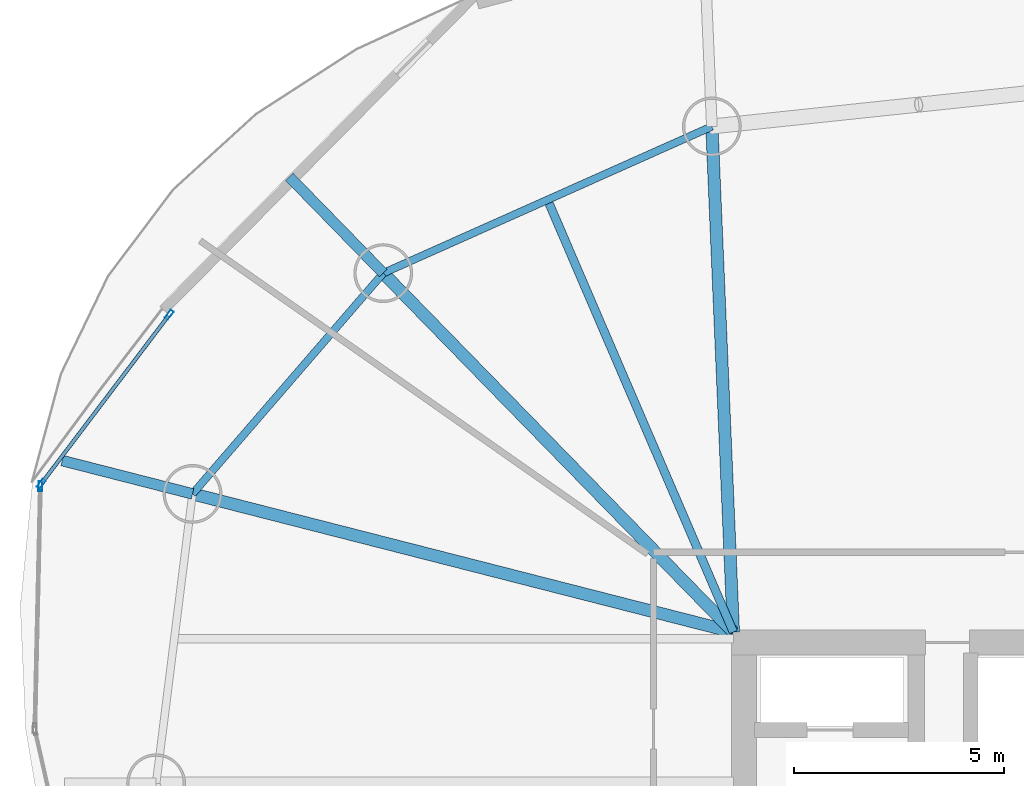
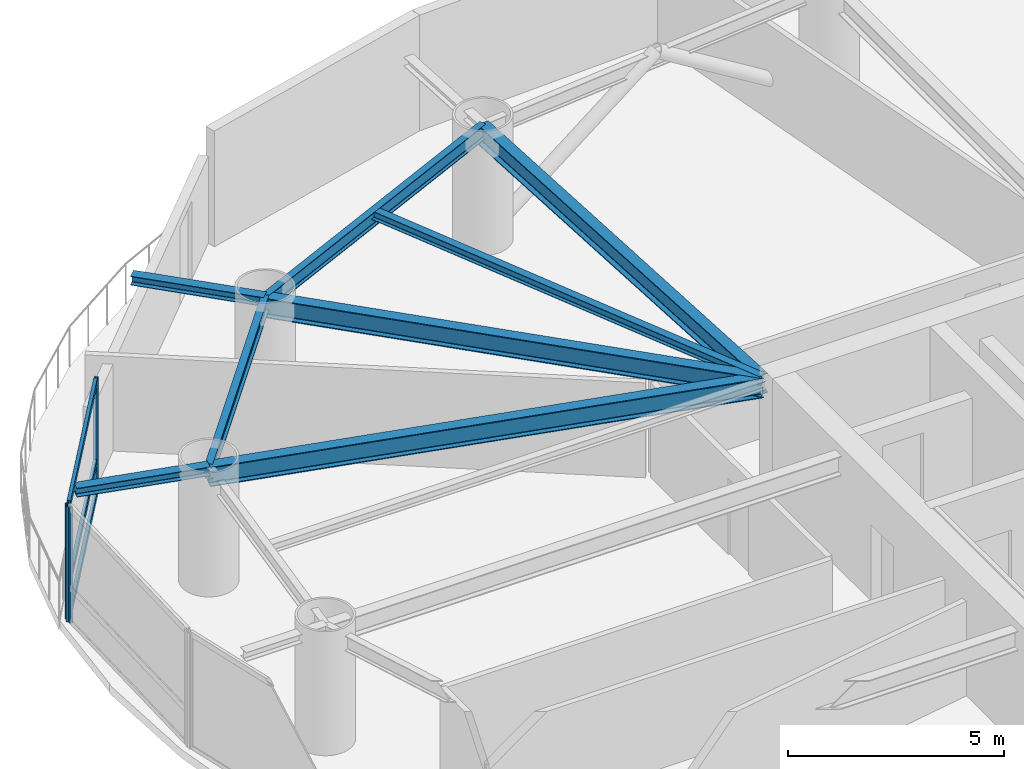
# One storey, part 11 of 20: 8 beams, 6 members, 2 elements without a shape of their own.
"""IFC4 building model written with IfcOpenShell, lengths in metres."""

from ifc_helpers import new_model, si_unit, direction, frame, origin, origin_2d, place, context, subcontext, project, spatial, hollow_rectangle, i_section, extrude, material, layer, layer_set, material_profile, profile_set, type_object, element, aggregate, save


model = new_model("IFC4")

# Units and contexts
model_context = context("Model", 3, precision=1e-05, world=origin(), true_north=direction((0.0, 1.0)))
body_context = subcontext(model_context, "Body", "Model", "MODEL_VIEW")
ifc_project = project(units=[si_unit("LENGTHUNIT", "METRE"), si_unit("AREAUNIT", "SQUARE_METRE"), si_unit("VOLUMEUNIT", "CUBIC_METRE"), si_unit("PLANEANGLEUNIT", "RADIAN"), si_unit("MASSUNIT", "GRAM", prefix="KILO")], contexts=[model_context])

# Site, building, storey
site_placement = place(None, origin())
site = spatial("IfcSite", under=ifc_project, at=site_placement, CompositionType="ELEMENT")
building_placement = place(site_placement, origin())
building = spatial("IfcBuilding", under=site, at=building_placement, Name="Bramvorn Convention Spire", CompositionType="ELEMENT")
storey_placement = place(building_placement, frame((0.0, 0.0, 155.300048828125)))
storey = spatial("IfcBuildingStorey", under=building, at=storey_placement, Name="L39", CompositionType="ELEMENT", Elevation=155.300048828125)

# Beams
ifc_material_1 = material(Name="Steel CSA G40.21 Grade 350 (350W)", Category="steel")
ifc_material_profile_1 = material_profile(ifc_material_1, i_section(OverallWidth=0.201904296875, OverallDepth=0.2470703125, WebThickness=0.00732421875, FlangeThickness=0.010986328125, FilletRadius=0.011962890625, at=origin_2d()))
ifc_profile_set_1 = profile_set([ifc_material_profile_1], Name="Steel CSA G40.21 Grade 350 (350W) - W250X49")
beam_type_1 = type_object("IfcBeamType", Name="BM-W250X49", PredefinedType="JOIST", material=ifc_profile_set_1)
beam_1_placement = place(storey_placement, frame((26.75, 33.449951171875, 3.136474609375), z_axis=(-0.394937739893, 0.918707886985, 0.0), x_axis=(-0.918707886985, -0.394937739893, 0.0)))
element("IfcBeam", 1, at=beam_1_placement, inside=storey, type_object=beam_type_1, Name="L39 composite floor joist 07", PredefinedType="JOIST", context=body_context, shape_type="SweptSolid", body=[
    extrude(i_section(OverallWidth=0.201904296875, OverallDepth=0.2470703125, WebThickness=0.00732421875, FlangeThickness=0.010986328125, FilletRadius=0.011962890625, at=origin_2d()), origin(), (0.0, 0.0, 1.0), 11.19384765625),
])
ifc_material_profile_2 = material_profile(ifc_material_1, i_section(OverallWidth=0.25390625, OverallDepth=0.2529296875, WebThickness=0.008544921875, FlangeThickness=0.01416015625, FilletRadius=0.011962890625, at=origin_2d()))
ifc_profile_set_2 = profile_set([ifc_material_profile_2], Name="Steel CSA G40.21 Grade 350 (350W) - W250X73")
beam_type_2 = type_object("IfcBeamType", Name="BM-W250X73", PredefinedType="BEAM", material=ifc_profile_set_2)
for number, where, z_axis, x_axis, name in (
    (2, (18.420166015625, 41.9892578125, 3.133544921875), (-0.69827808588, 0.715826595468, 0.0), (-0.715826595468, -0.69827808588, 0.0), "L39 slab-edge cantilever tip beam MC08"),
    (3, (13.88232421875, 36.73779296875, 3.133544921875), (-0.968868276357, 0.24757678217, 0.0), (-0.24757678217, -0.968868276357, 0.0), "L39 slab-edge cantilever tip beam MC09"),
):
    element("IfcBeam", number, at=place(storey_placement, frame(where, z_axis=z_axis, x_axis=x_axis)), inside=storey, type_object=beam_type_2, Name=name, PredefinedType="BEAM", context=body_context, shape_type="SweptSolid", body=[
        extrude(i_section(OverallWidth=0.25390625, OverallDepth=0.2529296875, WebThickness=0.008544921875, FlangeThickness=0.01416015625, FilletRadius=0.011962890625, at=origin_2d()), origin(), (0.0, 0.0, 1.0), 3.199951171875),
    ])
ifc_material_profile_3 = material_profile(ifc_material_1, i_section(OverallWidth=0.180908203125, OverallDepth=0.4169921875, WebThickness=0.010986328125, FlangeThickness=0.018310546875, FilletRadius=0.01611328125, at=origin_2d()))
ifc_profile_set_3 = profile_set([ifc_material_profile_3], Name="Steel CSA G40.21 Grade 350 (350W) - W410X85")
beam_type_3 = type_object("IfcBeamType", Name="BM-W410X85", PredefinedType="JOIST", material=ifc_profile_set_3)
beam_2_placement = place(storey_placement, frame((26.23828125, 45.478759765625, 3.051513671875), z_axis=(-0.913169534701, -0.407579931908, 0.0), x_axis=(0.407579931908, -0.913169534701, 0.0)))
element("IfcBeam", 4, at=beam_2_placement, inside=storey, type_object=beam_type_3, Name="L39 mega-column ring beam 07", PredefinedType="JOIST", context=body_context, shape_type="SweptSolid", body=[
    extrude(i_section(OverallWidth=0.180908203125, OverallDepth=0.4169921875, WebThickness=0.010986328125, FlangeThickness=0.018310546875, FilletRadius=0.01611328125, at=origin_2d()), origin(), (0.0, 0.0, 1.0), 8.5615234375),
])
beam_3_placement = place(storey_placement, frame((18.420166015625, 41.9892578125, 3.051513671875), z_axis=(-0.653824993824, -0.756645807132, 0.0), x_axis=(0.756645807132, -0.653824993824, 0.0)))
element("IfcBeam", 5, at=beam_3_placement, inside=storey, type_object=beam_type_3, Name="L39 mega-column ring beam 08", PredefinedType="JOIST", context=body_context, shape_type="SweptSolid", body=[
    extrude(i_section(OverallWidth=0.180908203125, OverallDepth=0.4169921875, WebThickness=0.010986328125, FlangeThickness=0.018310546875, FilletRadius=0.01611328125, at=origin_2d()), origin(), (0.0, 0.0, 1.0), 6.9404296875),
])
ifc_material_profile_4 = material_profile(ifc_material_1, i_section(OverallWidth=0.2919921875, OverallDepth=0.551025390625, WebThickness=0.01513671875, FlangeThickness=0.0244140625, FilletRadius=0.01904296875, at=origin_2d()))
ifc_profile_set_4 = profile_set([ifc_material_profile_4], Name="Steel CSA G40.21 Grade 350 (350W) - W530X182")
beam_type_4 = type_object("IfcBeamType", Name="BM-W530X182", PredefinedType="BEAM", material=ifc_profile_set_4)
beam_4_placement = place(storey_placement, frame((26.75, 33.449951171875, 2.984375), z_axis=(-0.042502657955, 0.999096353745, 0.0), x_axis=(-0.999096353745, -0.042502657955, 0.0)))
element("IfcBeam", 6, at=beam_4_placement, inside=storey, type_object=beam_type_4, Name="L39 radial floor girder MC07", PredefinedType="BEAM", context=body_context, shape_type="SweptSolid", body=[
    extrude(i_section(OverallWidth=0.2919921875, OverallDepth=0.551025390625, WebThickness=0.01513671875, FlangeThickness=0.0244140625, FilletRadius=0.01904296875, at=origin_2d()), origin(), (0.0, 0.0, 1.0), 12.039794921875),
])
beam_5_placement = place(storey_placement, frame((26.75, 33.449951171875, 2.984375), z_axis=(-0.698272445638, 0.715832097397, 0.0), x_axis=(-0.715832097397, -0.698272445638, 0.0)))
element("IfcBeam", 7, at=beam_5_placement, inside=storey, type_object=beam_type_4, Name="L39 radial floor girder MC08", PredefinedType="BEAM", context=body_context, shape_type="SweptSolid", body=[
    extrude(i_section(OverallWidth=0.2919921875, OverallDepth=0.551025390625, WebThickness=0.01513671875, FlangeThickness=0.0244140625, FilletRadius=0.01904296875, at=origin_2d()), origin(), (0.0, 0.0, 1.0), 11.92919921875),
])
beam_6_placement = place(storey_placement, frame((26.75, 33.449951171875, 2.984375), z_axis=(-0.968872976577, 0.247558387576, 0.0), x_axis=(-0.247558387576, -0.968872976577, 0.0)))
element("IfcBeam", 8, at=beam_6_placement, inside=storey, type_object=beam_type_4, Name="L39 radial floor girder MC09", PredefinedType="BEAM", context=body_context, shape_type="SweptSolid", body=[
    extrude(i_section(OverallWidth=0.2919921875, OverallDepth=0.551025390625, WebThickness=0.01513671875, FlangeThickness=0.0244140625, FilletRadius=0.01904296875, at=origin_2d()), origin(), (0.0, 0.0, 1.0), 13.281005859375),
])

# Curtain wall, members
ifc_material_2 = material(Name="Anodised Bronze Unitised Curtain Wall", Category="aluminium")
ifc_layer = layer(ifc_material_2, 0.219970703125)
ifc_layer_set = layer_set([ifc_layer], Name="Anodised Bronze Unitised Curtain Wall - CW-SKYGARDEN")
curtain_wall_type = type_object("IfcCurtainWallType", Name="CW-SKYGARDEN", PredefinedType="USERDEFINED", material=ifc_layer_set)
curtain_wall_1_placement = place(storey_placement, origin())
curtain_wall_1 = element("IfcCurtainWall", 9, at=curtain_wall_1_placement, inside=storey, type_object=curtain_wall_type, Name="L39 Sky Garden glazed facade 13", ObjectType="WINTER GARDEN GLAZING", PredefinedType="USERDEFINED")
ifc_material_3 = material(Name="Anodised Bronze Aluminium 6063-T6", Category="aluminium")
ifc_material_profile_5 = material_profile(ifc_material_3, hollow_rectangle(XDim=0.090087890625, YDim=0.239990234375, WallThickness=0.00439453125, InnerFilletRadius=0.0009765625, OuterFilletRadius=0.00439453125, at=origin_2d()))
ifc_profile_set_5 = profile_set([ifc_material_profile_5], Name="Anodised Bronze Aluminium 6063-T6 - CWM90X240")
member_type_1 = type_object("IfcMemberType", Name="CW-MUL-220", PredefinedType="MULLION", material=ifc_profile_set_5)
member_1_placement = place(storey_placement, frame((10.28076171875, 36.975830078125, 0.0), z_axis=(0.0, 0.0, 1.0), x_axis=(-0.797120152886, 0.603820719968, 0.0)))
member_1 = element("IfcMember", 10, at=member_1_placement, type_object=member_type_1, Name="CW4 mullion 1", PredefinedType="MULLION", context=body_context, shape_type="SweptSolid", body=[
    extrude(hollow_rectangle(XDim=0.090087890625, YDim=0.239990234375, WallThickness=0.00439453125, InnerFilletRadius=0.0009765625, OuterFilletRadius=0.00439453125, at=origin_2d()), origin(), (0.0, 0.0, 1.0), 3.260009765625),
])
member_2_placement = place(storey_placement, frame((13.326416015625, 40.996337890625, 0.0), z_axis=(0.0, 0.0, 1.0), x_axis=(-0.797120152886, 0.603820719968, 0.0)))
member_2 = element("IfcMember", 11, at=member_2_placement, type_object=member_type_1, Name="CW4 mullion 2", PredefinedType="MULLION", context=body_context, shape_type="SweptSolid", body=[
    extrude(hollow_rectangle(XDim=0.090087890625, YDim=0.239990234375, WallThickness=0.00439453125, InnerFilletRadius=0.0009765625, OuterFilletRadius=0.00439453125, at=origin_2d()), origin(), (0.0, 0.0, 1.0), 3.260009765625),
])

# Curtain wall, member
curtain_wall_2_placement = place(storey_placement, origin())
curtain_wall_2 = element("IfcCurtainWall", 12, at=curtain_wall_2_placement, inside=storey, type_object=curtain_wall_type, Name="L39 Sky Garden glazed facade 14", ObjectType="WINTER GARDEN GLAZING", PredefinedType="USERDEFINED")
member_3_placement = place(storey_placement, frame((10.261962890625, 36.921875, 0.0), z_axis=(0.0, 0.0, 1.0), x_axis=(-0.999739489524, 0.022824396721, 0.0)))
member_3 = element("IfcMember", 13, at=member_3_placement, type_object=member_type_1, Name="CW4 mullion 2", PredefinedType="MULLION", context=body_context, shape_type="SweptSolid", body=[
    extrude(hollow_rectangle(XDim=0.090087890625, YDim=0.239990234375, WallThickness=0.00439453125, InnerFilletRadius=0.0009765625, OuterFilletRadius=0.00439453125, at=origin_2d()), origin(), (0.0, 0.0, 1.0), 3.260009765625),
])
aggregate(curtain_wall_2, [member_3])

# Member
ifc_material_profile_6 = material_profile(ifc_material_3, hollow_rectangle(XDim=0.090087890625, YDim=0.179931640625, WallThickness=0.00439453125, InnerFilletRadius=0.0009765625, OuterFilletRadius=0.00439453125, at=origin_2d()))
ifc_profile_set_6 = profile_set([ifc_material_profile_6], Name="Anodised Bronze Aluminium 6063-T6 - CWT90X180")
member_type_2 = type_object("IfcMemberType", Name="CW-TRN-180", PredefinedType="USERDEFINED", material=ifc_profile_set_6)
member_4_placement = place(storey_placement, frame((10.298828125, 36.99951171875, 0.030029296875), z_axis=(0.603825622142, 0.797116439452, 0.0), x_axis=(-0.797116439452, 0.603825622142, 0.0)))
member_4 = element("IfcMember", 14, at=member_4_placement, type_object=member_type_2, Name="CW4 transom 1.1", ObjectType="TRANSOM", PredefinedType="USERDEFINED", context=body_context, shape_type="SweptSolid", body=[
    extrude(hollow_rectangle(XDim=0.090087890625, YDim=0.179931640625, WallThickness=0.00439453125, InnerFilletRadius=0.0009765625, OuterFilletRadius=0.00439453125, at=origin_2d()), origin(), (0.0, 0.0, 1.0), 4.984130859375),
])

member_5_placement = place(storey_placement, frame((10.298828125, 36.99951171875, 1.0), z_axis=(0.603825622142, 0.797116439452, 0.0), x_axis=(-0.797116439452, 0.603825622142, 0.0)))
member_5 = element("IfcMember", 15, at=member_5_placement, type_object=member_type_2, Name="CW4 transom 1.2", ObjectType="TRANSOM", PredefinedType="USERDEFINED", context=body_context, shape_type="SweptSolid", body=[
    extrude(hollow_rectangle(XDim=0.090087890625, YDim=0.179931640625, WallThickness=0.00439453125, InnerFilletRadius=0.0009765625, OuterFilletRadius=0.00439453125, at=origin_2d()), origin(), (0.0, 0.0, 1.0), 4.984130859375),
])

member_6_placement = place(storey_placement, frame((10.298828125, 36.99951171875, 3.22998046875), z_axis=(0.603825622142, 0.797116439452, 0.0), x_axis=(-0.797116439452, 0.603825622142, 0.0)))
member_6 = element("IfcMember", 16, at=member_6_placement, type_object=member_type_2, Name="CW4 transom 1.3", ObjectType="TRANSOM", PredefinedType="USERDEFINED", context=body_context, shape_type="SweptSolid", body=[
    extrude(hollow_rectangle(XDim=0.090087890625, YDim=0.179931640625, WallThickness=0.00439453125, InnerFilletRadius=0.0009765625, OuterFilletRadius=0.00439453125, at=origin_2d()), origin(), (0.0, 0.0, 1.0), 4.984130859375),
])

aggregate(curtain_wall_1, [member_1, member_2, member_4, member_5, member_6])

save(model, "model.ifc")
